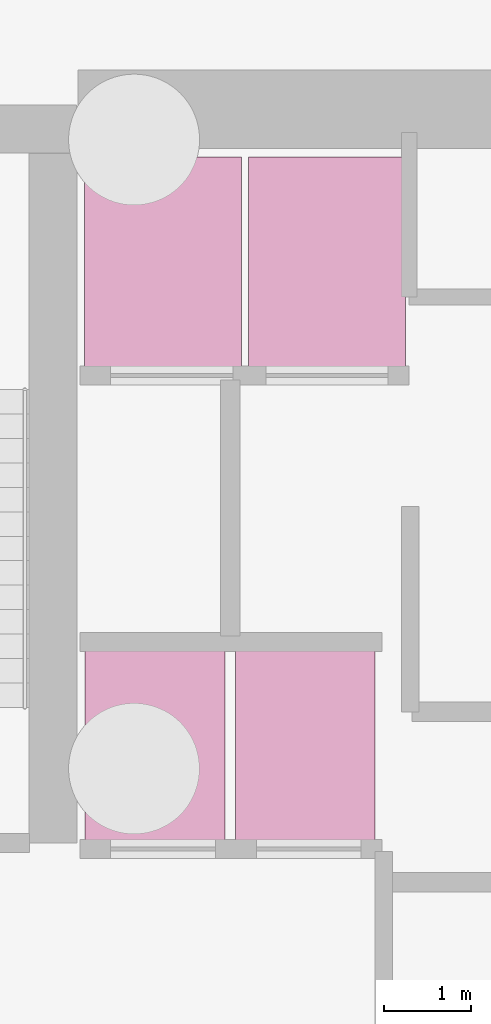
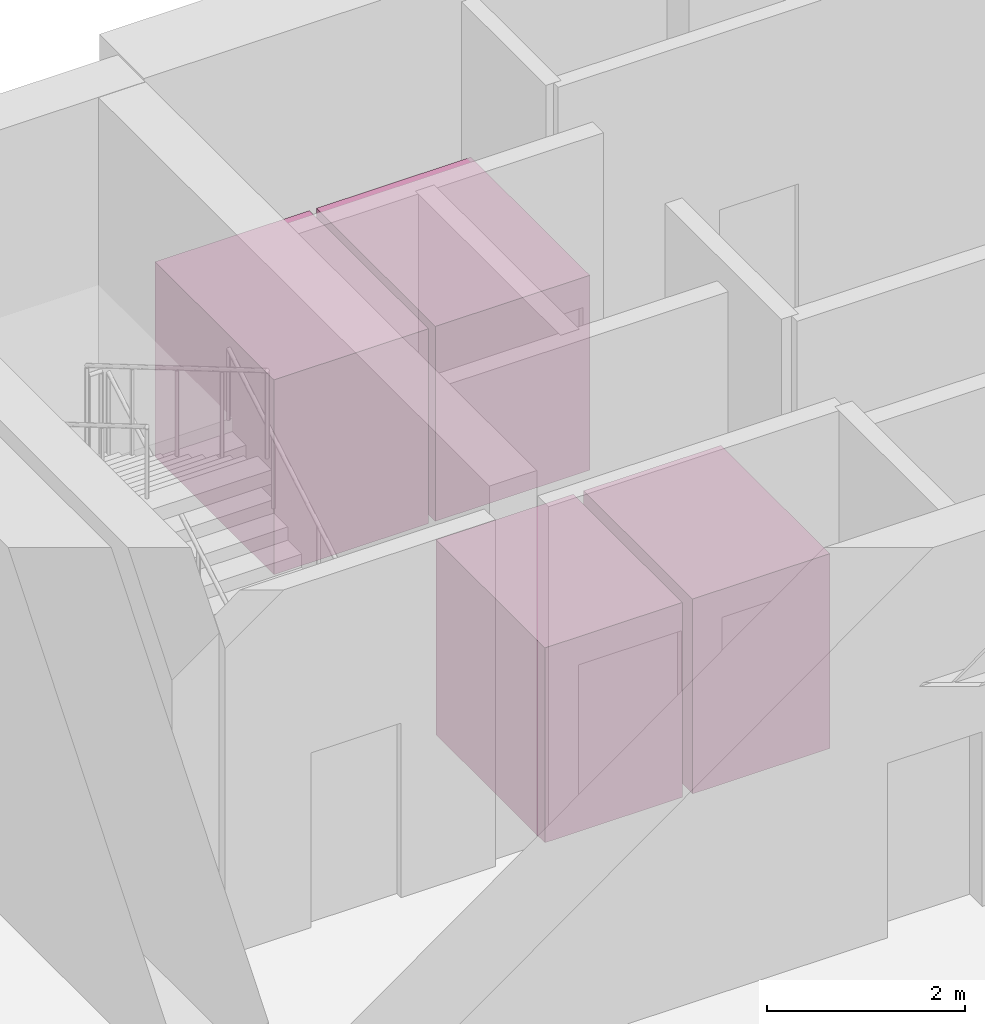
# One storey, part 13 of 13: 4 transport elements.
"""IFC4 building model written with IfcOpenShell, lengths in metres."""

from ifc_helpers import new_model, si_unit, direction, frame, origin, origin_2d, place, context, subcontext, project, spatial, rectangle, extrude, material, type_object, element, save


model = new_model("IFC4")

# Units and contexts
model_context = context("Model", 3, precision=1e-05, world=origin(), true_north=direction((0.0, 1.0)))
body_context = subcontext(model_context, "Body", "Model", "MODEL_VIEW")
ifc_project = project(units=[si_unit("LENGTHUNIT", "METRE"), si_unit("AREAUNIT", "SQUARE_METRE"), si_unit("VOLUMEUNIT", "CUBIC_METRE"), si_unit("PLANEANGLEUNIT", "RADIAN"), si_unit("MASSUNIT", "GRAM", prefix="KILO")], contexts=[model_context])

# Site, building, storey
site_placement = place(None, origin())
site = spatial("IfcSite", under=ifc_project, at=site_placement, CompositionType="ELEMENT")
building_placement = place(site_placement, origin())
building = spatial("IfcBuilding", under=site, at=building_placement, Name="Kefirva Bronze Tower", CompositionType="ELEMENT")
storey_placement = place(building_placement, frame((0.0, 0.0, -9.239990234375)))
storey = spatial("IfcBuildingStorey", under=building, at=storey_placement, Name="B2", CompositionType="ELEMENT", Elevation=-9.239990234375)

# Transport elements
ifc_material = material(Name="Stainless steel 316", Category="steel")
transport_element_type_1 = type_object("IfcTransportElementType", Name="Firefighting Lift 1600kg 1600x2200", PredefinedType="ELEVATOR", material=ifc_material)
for number, where, z_axis, x_axis, name in (
    (1, (6.239990234375, 38.25, 0.0), (0.0, 0.0, 1.0), (1.0, 0.0, 0.0), "Lift FF1 Car"),
    (2, (7.9599609375, 38.25, 0.0), (0.0, 0.0, 1.0), (1.0, 0.0, 0.0), "Lift FF2 Car"),
):
    element("IfcTransportElement", number, at=place(storey_placement, frame(where, z_axis=z_axis, x_axis=x_axis)), inside=storey, type_object=transport_element_type_1, Name=name, PredefinedType="ELEVATOR", context=body_context, shape_type="SweptSolid", body=[
        extrude(rectangle(XDim=1.60009765625, YDim=2.199951171875, at=origin_2d()), origin(), (0.0, 0.0, 1.0), 2.39990234375),
    ])
transport_element_type_2 = type_object("IfcTransportElementType", Name="Goods Service Lift 2500kg 1800x2400", PredefinedType="ELEVATOR", material=ifc_material)
for number, where, z_axis, x_axis, name in (
    (3, (6.330078125, 43.800048828125, 0.0), (0.0, 0.0, 1.0), (1.0, 0.0, 0.0), "Lift SV1 Car"),
    (4, (8.2099609375, 43.800048828125, 0.0), (0.0, 0.0, 1.0), (1.0, 0.0, 0.0), "Lift SV2 Car"),
):
    element("IfcTransportElement", number, at=place(storey_placement, frame(where, z_axis=z_axis, x_axis=x_axis)), inside=storey, type_object=transport_element_type_2, Name=name, PredefinedType="ELEVATOR", context=body_context, shape_type="SweptSolid", body=[
        extrude(rectangle(XDim=1.800048828125, YDim=2.39990234375, at=origin_2d()), origin(), (0.0, 0.0, 1.0), 2.39990234375),
    ])

save(model, "model.ifc")
